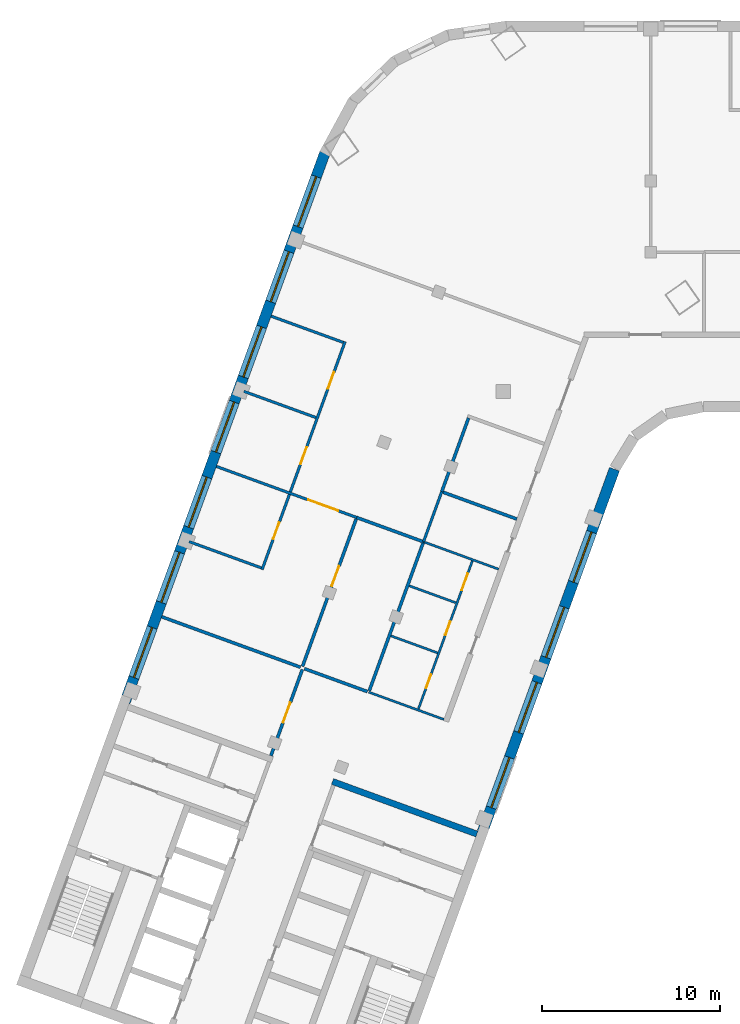
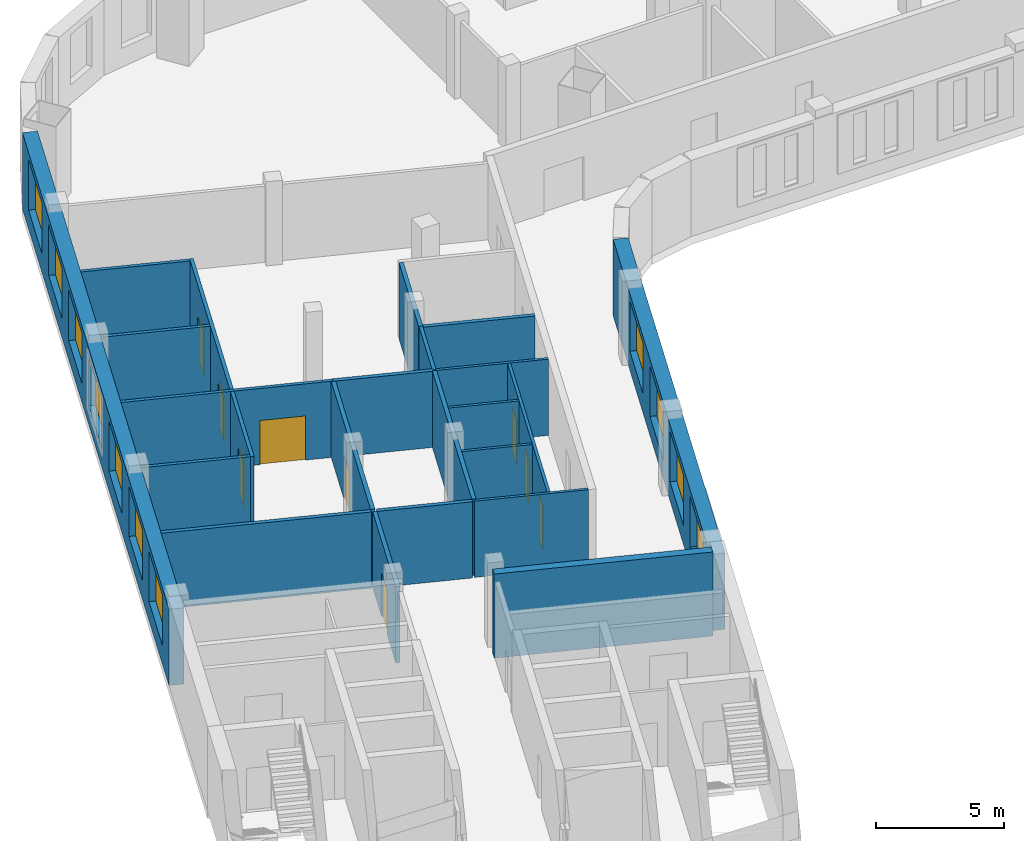
# One storey, part 3 of 8: 22 walls, 11 windows, 9 doors, 20 openings.
"""IFC4 building model written with IfcOpenShell, lengths in metres."""

from ifc_helpers import new_model, si_unit, direction, frame, frame_2d, origin, place, context, subcontext, project, spatial, rectangle, extrude, material, layer, layer_set, type_object, element, fill, save


model = new_model("IFC4")

# Units and contexts
model_context = context("Model", 3, precision=1e-05, world=origin(), true_north=direction((0.0, 1.0)))
body_context = subcontext(model_context, "Body", "Model", "MODEL_VIEW")
ifc_project = project(units=[si_unit("LENGTHUNIT", "METRE"), si_unit("AREAUNIT", "SQUARE_METRE"), si_unit("VOLUMEUNIT", "CUBIC_METRE"), si_unit("PLANEANGLEUNIT", "RADIAN"), si_unit("MASSUNIT", "GRAM", prefix="KILO")], contexts=[model_context])

# Site, building, storey
site_placement = place(None, origin())
site = spatial("IfcSite", under=ifc_project, at=site_placement, CompositionType="ELEMENT")
building_placement = place(site_placement, origin())
building = spatial("IfcBuilding", under=site, at=building_placement, Name="Skarvind Civic Tower", CompositionType="ELEMENT")
storey_placement = place(building_placement, frame((0.0, 0.0, 150.5)))
storey = spatial("IfcBuildingStorey", under=building, at=storey_placement, Name="L35", CompositionType="ELEMENT", Elevation=150.5)

# Wall
ifc_material_1 = material(Name="Acoustic gypsum board on steel studs", Category="steel")
ifc_layer_1 = layer(ifc_material_1, 0.175048828125)
ifc_layer_set_1 = layer_set([ifc_layer_1], Name="ACOUSTIC MEETING-ROOM PARTITION 175")
wall_type_1 = type_object("IfcWallType", Name="ACOUSTIC MEETING-ROOM PARTITION 175", PredefinedType="PARTITIONING", material=ifc_layer_set_1)
wall_1_placement = place(storey_placement, frame((26.736083984375, 105.47998046875, 0.0), z_axis=(0.0, 0.0, 1.0), x_axis=(0.939705074886, -0.341985924028, 0.0)))
element("IfcWall", 1, at=wall_1_placement, inside=storey, type_object=wall_type_1, Name="Partition 35.001", PredefinedType="PARTITIONING", context=body_context, shape_type="SweptSolid", body=[
    extrude(rectangle(XDim=8.313232421875, YDim=0.175048828125, at=frame_2d((4.15673828125, 0.0))), origin(), (0.0, 0.0, 1.0), 3.625),
])

# Wall, opening, door
wall_2_placement = place(storey_placement, frame((32.881103515625, 97.656982421875, 0.0), z_axis=(0.0, 0.0, 1.0), x_axis=(0.342058204353, 0.939678766832, 0.0)))
wall_2 = element("IfcWall", 2, at=wall_2_placement, inside=storey, type_object=wall_type_1, Name="Partition 35.009", PredefinedType="PARTITIONING", context=body_context, shape_type="SweptSolid", body=[
    extrude(rectangle(XDim=5.16259765625, YDim=0.175048828125, at=frame_2d((2.581298828125, 0.0))), origin(), (0.0, 0.0, 1.0), 3.625),
])
opening_1_placement = place(wall_2_placement, frame((1.9912109375, 0.0, 0.0)))
opening_1 = element("IfcOpeningElement", 3, at=opening_1_placement, cuts=wall_2, Name="Opening L35-D007", PredefinedType="OPENING", context=body_context, shape_type="SweptSolid", body=[
    extrude(rectangle(XDim=1.199951171875, YDim=2.10009765625, at=frame_2d((0.60009765625, 1.050048828125))), frame((0.0, 0.097412109375, 0.0), z_axis=(0.0, -1.0, 0.0), x_axis=(1.0, 0.0, 0.0)), (0.0, 0.0, 1.0), 0.195068359375),
])
ifc_material_2 = material(Name="Timber door leaf", Category="wood")
door_type_1 = type_object("IfcDoorType", Name="DOOR 1200X2100 DOUBLE TIMBER", OperationType="NOTDEFINED", PredefinedType="DOOR", material=ifc_material_2)
door_1_placement = place(opening_1_placement, origin())
door_1 = element("IfcDoor", 4, at=door_1_placement, inside=storey, type_object=door_type_1, Name="Door L35-D007", OperationType="DOUBLE_DOOR_SINGLE_SWING", OverallHeight=2.10009765625, OverallWidth=1.199951171875, PredefinedType="DOOR", context=body_context, shape_type="SweptSolid", body=[
    extrude(rectangle(XDim=1.199951171875, YDim=2.10009765625, at=frame_2d((0.60009765625, 1.050048828125))), frame((0.0, 0.02490234375, 0.0), z_axis=(0.0, -1.0, 0.0), x_axis=(1.0, 0.0, 0.0)), (0.0, 0.0, 1.0), 0.050048828125),
])
fill(opening_1, door_1)

# Wall
wall_3_placement = place(storey_placement, frame((34.759033203125, 102.56005859375, 0.0), z_axis=(0.0, 0.0, 1.0), x_axis=(0.939770757411, -0.341805388365, 0.0)))
element("IfcWall", 5, at=wall_3_placement, inside=storey, type_object=wall_type_1, Name="Partition 35.010", PredefinedType="PARTITIONING", context=body_context, shape_type="SweptSolid", body=[
    extrude(rectangle(XDim=3.774169921875, YDim=0.175048828125, at=frame_2d((1.88720703125, 0.0))), origin(), (0.0, 0.0, 1.0), 3.625),
])

# Wall, opening, door
wall_4_placement = place(storey_placement, frame((34.659912109375, 102.68896484375, 0.0), z_axis=(0.0, 0.0, 1.0), x_axis=(0.341951828534, 0.939717482524, 0.0)))
wall_4 = element("IfcWall", 6, at=wall_4_placement, inside=storey, type_object=wall_type_1, Name="Partition 35.011", PredefinedType="PARTITIONING", context=body_context, shape_type="SweptSolid", body=[
    extrude(rectangle(XDim=8.825927734375, YDim=0.175048828125, at=frame_2d((4.4130859375, 0.0))), origin(), (0.0, 0.0, 1.0), 3.625),
])
opening_2_placement = place(wall_4_placement, frame((4.81298828125, 0.0, 0.0)))
opening_2 = element("IfcOpeningElement", 7, at=opening_2_placement, cuts=wall_4, Name="Opening L35-D020", PredefinedType="OPENING", context=body_context, shape_type="SweptSolid", body=[
    extrude(rectangle(XDim=1.199951171875, YDim=2.10009765625, at=frame_2d((0.60009765625, 1.050048828125))), frame((0.0, 0.097412109375, 0.0), z_axis=(0.0, -1.0, 0.0), x_axis=(1.0, 0.0, 0.0)), (0.0, 0.0, 1.0), 0.195068359375),
])
door_2_placement = place(opening_2_placement, origin())
door_2 = element("IfcDoor", 8, at=door_2_placement, inside=storey, type_object=door_type_1, Name="Door L35-D020", OperationType="DOUBLE_DOOR_SINGLE_SWING", OverallHeight=2.10009765625, OverallWidth=1.199951171875, PredefinedType="DOOR", context=body_context, shape_type="SweptSolid", body=[
    extrude(rectangle(XDim=1.199951171875, YDim=2.10009765625, at=frame_2d((0.60009765625, 1.050048828125))), frame((0.0, 0.02490234375, 0.0), z_axis=(0.0, -1.0, 0.0), x_axis=(1.0, 0.0, 0.0)), (0.0, 0.0, 1.0), 0.050048828125),
])
fill(opening_2, door_2)

# Walls
wall_5_placement = place(storey_placement, frame((38.41796875, 101.322021484375, 0.0), z_axis=(0.0, 0.0, 1.0), x_axis=(0.342101536507, 0.939662992099, 0.0)))
element("IfcWall", 9, at=wall_5_placement, inside=storey, type_object=wall_type_1, Name="Partition 35.014", PredefinedType="PARTITIONING", context=body_context, shape_type="SweptSolid", body=[
    extrude(rectangle(XDim=8.912841796875, YDim=0.175048828125, at=frame_2d((4.45654296875, 0.0))), origin(), (0.0, 0.0, 1.0), 3.625),
])
wall_6_placement = place(storey_placement, frame((41.467041015625, 109.697021484375, 0.0), z_axis=(0.0, 0.0, 1.0), x_axis=(-0.939713209288, 0.341963571582, 0.0)))
element("IfcWall", 10, at=wall_6_placement, inside=storey, type_object=wall_type_1, Name="Partition 35.017", PredefinedType="PARTITIONING", context=body_context, shape_type="SweptSolid", body=[
    extrude(rectangle(XDim=4.000244140625, YDim=0.175048828125, at=frame_2d((2.0, 0.0))), origin(), (0.0, 0.0, 1.0), 3.625),
])
wall_7_placement = place(storey_placement, frame((42.574951171875, 112.486083984375, 0.0), z_axis=(0.0, 0.0, 1.0), x_axis=(0.939620446327, -0.342218375959, 0.0)))
element("IfcWall", 11, at=wall_7_placement, inside=storey, type_object=wall_type_1, Name="Partition 35.022", PredefinedType="PARTITIONING", context=body_context, shape_type="SweptSolid", body=[
    extrude(rectangle(XDim=4.412353515625, YDim=0.175048828125, at=frame_2d((2.2060546875, 0.0))), origin(), (0.0, 0.0, 1.0), 3.625),
])
wall_8_placement = place(storey_placement, frame((44.001953125, 116.662109375, 0.0), z_axis=(0.0, 0.0, 1.0), x_axis=(-0.342022951975, -0.939691598517, 0.0)))
element("IfcWall", 12, at=wall_8_placement, inside=storey, type_object=wall_type_1, Name="Partition 35.026", PredefinedType="PARTITIONING", context=body_context, shape_type="SweptSolid", body=[
    extrude(rectangle(XDim=4.412109375, YDim=0.175048828125, at=frame_2d((2.2060546875, 0.0))), origin(), (0.0, 0.0, 1.0), 3.625),
])
ifc_material_3 = material(Name="Concrete C60", Category="concrete")
ifc_layer_2 = layer(ifc_material_3, 0.35009765625)
ifc_layer_set_2 = layer_set([ifc_layer_2], Name="Core wall 350 C60")
wall_type_2 = type_object("IfcWallType", Name="Core wall 350 C60", PredefinedType="SHEAR", material=ifc_layer_set_2)
wall_9_placement = place(storey_placement, frame((44.473388671875, 93.25146484375, 0.0), z_axis=(0.0, 0.0, 1.0), x_axis=(-0.939692847377, 0.34201952077, 0.0)))
element("IfcWall", 13, at=wall_9_placement, inside=storey, type_object=wall_type_2, Name="Core wall C2 south inner face L35", PredefinedType="SHEAR", context=body_context, shape_type="SweptSolid", body=[
    extrude(rectangle(XDim=8.650146484375, YDim=0.35009765625, at=frame_2d((4.3251953125, 0.0))), origin(), (0.0, 0.0, 1.0), 4.0),
])

# Wall, opening, door
ifc_material_4 = material(Name="Plasterboard partition on steel studs", Category="steel")
ifc_layer_3 = layer(ifc_material_4, 0.14990234375)
ifc_layer_set_3 = layer_set([ifc_layer_3], Name="PARTITION 150")
wall_type_3 = type_object("IfcWallType", Name="PARTITION 150", PredefinedType="PARTITIONING", material=ifc_layer_set_3)
wall_10_placement = place(storey_placement, frame((29.81396484375, 113.93798828125, 0.0), z_axis=(0.0, 0.0, 1.0), x_axis=(0.939698351515, -0.342004397867, 0.0)))
wall_10 = element("IfcWall", 14, at=wall_10_placement, inside=storey, type_object=wall_type_3, Name="Partition 35.002", PredefinedType="PARTITIONING", context=body_context, shape_type="SweptSolid", body=[
    extrude(rectangle(XDim=8.400634765625, YDim=0.14990234375, at=frame_2d((4.2001953125, 0.0))), origin(), (0.0, 0.0, 1.0), 3.625),
])
opening_3_placement = place(wall_10_placement, frame((5.50048828125, 0.0, 0.0)))
opening_3 = element("IfcOpeningElement", 15, at=opening_3_placement, cuts=wall_10, Name="Opening L35-D013", PredefinedType="OPENING", context=body_context, shape_type="SweptSolid", body=[
    extrude(rectangle(XDim=1.800048828125, YDim=2.10009765625, at=frame_2d((0.89990234375, 1.050048828125))), frame((0.0, 0.0849609375, 0.0), z_axis=(0.0, -1.0, 0.0), x_axis=(1.0, 0.0, 0.0)), (0.0, 0.0, 1.0), 0.169921875),
])
door_type_2 = type_object("IfcDoorType", Name="D4 1800x2100", OperationType="NOTDEFINED", PredefinedType="DOOR", material=ifc_material_2)
door_3_placement = place(opening_3_placement, origin())
door_3 = element("IfcDoor", 16, at=door_3_placement, inside=storey, type_object=door_type_2, Name="Door L35-D013", OperationType="DOUBLE_DOOR_SINGLE_SWING", OverallHeight=2.10009765625, OverallWidth=1.800048828125, PredefinedType="DOOR", context=body_context, shape_type="SweptSolid", body=[
    extrude(rectangle(XDim=1.800048828125, YDim=2.10009765625, at=frame_2d((0.89990234375, 1.050048828125))), frame((0.0, 0.02490234375, 0.0), z_axis=(0.0, -1.0, 0.0), x_axis=(1.0, 0.0, 0.0)), (0.0, 0.0, 1.0), 0.050048828125),
])
fill(opening_3, door_3)

# Walls
wall_11_placement = place(storey_placement, frame((31.35302734375, 118.166015625, 0.0), z_axis=(0.0, 0.0, 1.0), x_axis=(0.939803311208, -0.341715870634, 0.0)))
element("IfcWall", 17, at=wall_11_placement, inside=storey, type_object=wall_type_3, Name="Partition 35.003", PredefinedType="PARTITIONING", context=body_context, shape_type="SweptSolid", body=[
    extrude(rectangle(XDim=4.3251953125, YDim=0.14990234375, at=frame_2d((2.16259765625, 0.0))), origin(), (0.0, 0.0, 1.0), 3.625),
])
wall_12_placement = place(storey_placement, frame((32.340087890625, 108.22998046875, 0.0), z_axis=(0.0, 0.0, 1.0), x_axis=(-0.939737385516, 0.341897128188, 0.0)))
element("IfcWall", 18, at=wall_12_placement, inside=storey, type_object=wall_type_3, Name="Partition 35.004", PredefinedType="PARTITIONING", context=body_context, shape_type="SweptSolid", body=[
    extrude(rectangle(XDim=4.325927734375, YDim=0.14990234375, at=frame_2d((2.1630859375, 0.0))), origin(), (0.0, 0.0, 1.0), 3.625),
])

# Wall, openings, doors
wall_13_placement = place(storey_placement, frame((37.052978515625, 120.9599609375, 0.0), z_axis=(0.0, 0.0, 1.0), x_axis=(-0.342064742067, -0.939676386973, 0.0)))
wall_13 = element("IfcWall", 19, at=wall_13_placement, inside=storey, type_object=wall_type_3, Name="Partition 35.005", PredefinedType="PARTITIONING", context=body_context, shape_type="SweptSolid", body=[
    extrude(rectangle(XDim=13.6494140625, YDim=0.14990234375, at=frame_2d((6.82470703125, 0.0))), origin(), (0.0, 0.0, 1.0), 3.625),
])
opening_4_placement = place(wall_13_placement, frame((10.824462890625, 0.0, 0.0)))
opening_4 = element("IfcOpeningElement", 20, at=opening_4_placement, cuts=wall_13, Name="Opening L35-D012", PredefinedType="OPENING", context=body_context, shape_type="SweptSolid", body=[
    extrude(rectangle(XDim=1.0, YDim=2.10009765625, at=frame_2d((0.5, 1.050048828125))), frame((0.0, 0.0849609375, 0.0), z_axis=(0.0, -1.0, 0.0), x_axis=(1.0, 0.0, 0.0)), (0.0, 0.0, 1.0), 0.169921875),
])
opening_5_placement = place(wall_13_placement, frame((6.32421875, 0.0, 0.0)))
opening_5 = element("IfcOpeningElement", 21, at=opening_5_placement, cuts=wall_13, Name="Opening L35-D016", PredefinedType="OPENING", context=body_context, shape_type="SweptSolid", body=[
    extrude(rectangle(XDim=1.0, YDim=2.10009765625, at=frame_2d((0.5, 1.050048828125))), frame((0.0, 0.0849609375, 0.0), z_axis=(0.0, -1.0, 0.0), x_axis=(1.0, 0.0, 0.0)), (0.0, 0.0, 1.0), 0.169921875),
])
opening_6_placement = place(wall_13_placement, frame((1.82421875, 0.0, 0.0)))
opening_6 = element("IfcOpeningElement", 22, at=opening_6_placement, cuts=wall_13, Name="Opening L35-D017", PredefinedType="OPENING", context=body_context, shape_type="SweptSolid", body=[
    extrude(rectangle(XDim=1.0, YDim=2.10009765625, at=frame_2d((0.5, 1.050048828125))), frame((0.0, 0.0849609375, 0.0), z_axis=(0.0, -1.0, 0.0), x_axis=(1.0, 0.0, 0.0)), (0.0, 0.0, 1.0), 0.169921875),
])
door_type_3 = type_object("IfcDoorType", Name="D1 1000x2100", OperationType="NOTDEFINED", PredefinedType="DOOR", material=ifc_material_2)
door_4_placement = place(opening_4_placement, origin())
door_4 = element("IfcDoor", 23, at=door_4_placement, inside=storey, type_object=door_type_3, Name="Door L35-D012", OperationType="SINGLE_SWING_LEFT", OverallHeight=2.10009765625, OverallWidth=1.0, PredefinedType="DOOR", context=body_context, shape_type="SweptSolid", body=[
    extrude(rectangle(XDim=1.0, YDim=2.10009765625, at=frame_2d((0.5, 1.050048828125))), frame((0.0, 0.02490234375, 0.0), z_axis=(0.0, -1.0, 0.0), x_axis=(1.0, 0.0, 0.0)), (0.0, 0.0, 1.0), 0.050048828125),
])
fill(opening_4, door_4)
door_5_placement = place(opening_5_placement, origin())
door_5 = element("IfcDoor", 24, at=door_5_placement, inside=storey, type_object=door_type_3, Name="Door L35-D016", OperationType="SINGLE_SWING_RIGHT", OverallHeight=2.10009765625, OverallWidth=1.0, PredefinedType="DOOR", context=body_context, shape_type="SweptSolid", body=[
    extrude(rectangle(XDim=1.0, YDim=2.10009765625, at=frame_2d((0.5, 1.050048828125))), frame((0.0, 0.02490234375, 0.0), z_axis=(0.0, -1.0, 0.0), x_axis=(1.0, 0.0, 0.0)), (0.0, 0.0, 1.0), 0.050048828125),
])
fill(opening_5, door_5)
door_6_placement = place(opening_6_placement, origin())
door_6 = element("IfcDoor", 25, at=door_6_placement, inside=storey, type_object=door_type_3, Name="Door L35-D017", OperationType="SINGLE_SWING_LEFT", OverallHeight=2.10009765625, OverallWidth=1.0, PredefinedType="DOOR", context=body_context, shape_type="SweptSolid", body=[
    extrude(rectangle(XDim=1.0, YDim=2.10009765625, at=frame_2d((0.5, 1.050048828125))), frame((0.0, 0.02490234375, 0.0), z_axis=(0.0, -1.0, 0.0), x_axis=(1.0, 0.0, 0.0)), (0.0, 0.0, 1.0), 0.050048828125),
])
fill(opening_6, door_6)

# Walls
wall_14_placement = place(storey_placement, frame((32.89208984375, 122.39501953125, 0.0), z_axis=(0.0, 0.0, 1.0), x_axis=(0.93973078783, -0.341915262023, 0.0)))
element("IfcWall", 26, at=wall_14_placement, inside=storey, type_object=wall_type_3, Name="Partition 35.006", PredefinedType="PARTITIONING", context=body_context, shape_type="SweptSolid", body=[
    extrude(rectangle(XDim=4.32568359375, YDim=0.14990234375, at=frame_2d((2.162841796875, 0.0))), origin(), (0.0, 0.0, 1.0), 3.625),
])
wall_15_placement = place(storey_placement, frame((42.492919921875, 112.51611328125, 0.0), z_axis=(0.0, 0.0, 1.0), x_axis=(-0.341965219194, -0.939712609717, 0.0)))
element("IfcWall", 27, at=wall_15_placement, inside=storey, type_object=wall_type_3, Name="Partition 35.021", PredefinedType="PARTITIONING", context=body_context, shape_type="SweptSolid", body=[
    extrude(rectangle(XDim=3.0, YDim=0.14990234375, at=frame_2d((1.5, 0.0))), origin(), (0.0, 0.0, 1.0), 3.625),
])
ifc_material_5 = material(Name="Moisture-resistant gypsum board on steel studs", Category="steel")
ifc_layer_4 = layer(ifc_material_5, 0.125)
ifc_layer_set_4 = layer_set([ifc_layer_4], Name="WC PARTITION 125")
wall_type_4 = type_object("IfcWallType", Name="WC PARTITION 125", PredefinedType="PARTITIONING", material=ifc_layer_set_4)
wall_16_placement = place(storey_placement, frame((38.385009765625, 101.239990234375, 0.0), z_axis=(0.0, 0.0, 1.0), x_axis=(0.939711088937, -0.341969398235, 0.0)))
element("IfcWall", 28, at=wall_16_placement, inside=storey, type_object=wall_type_4, Name="Partition 35.012", PredefinedType="PARTITIONING", context=body_context, shape_type="SweptSolid", body=[
    extrude(rectangle(XDim=4.50341796875, YDim=0.125, at=frame_2d((2.251708984375, 0.0))), origin(), (0.0, 0.0, 1.0), 3.625),
])

# Wall, openings, doors
wall_17_placement = place(storey_placement, frame((41.180908203125, 100.2900390625, 0.0), z_axis=(0.0, 0.0, 1.0), x_axis=(0.34222012082, 0.939619810831, 0.0)))
wall_17 = element("IfcWall", 29, at=wall_17_placement, inside=storey, type_object=wall_type_4, Name="Partition 35.016", PredefinedType="PARTITIONING", context=body_context, shape_type="SweptSolid", body=[
    extrude(rectangle(XDim=8.874755859375, YDim=0.125, at=frame_2d((4.4375, 0.0))), origin(), (0.0, 0.0, 1.0), 3.625),
])
opening_7_placement = place(wall_17_placement, frame((1.25830078125, 0.0, 0.0)))
opening_7 = element("IfcOpeningElement", 30, at=opening_7_placement, cuts=wall_17, Name="Opening L35-D009", PredefinedType="OPENING", context=body_context, shape_type="SweptSolid", body=[
    extrude(rectangle(XDim=0.800048828125, YDim=2.10009765625, at=frame_2d((0.39990234375, 1.050048828125))), frame((0.0, 0.072509765625, 0.0), z_axis=(0.0, -1.0, 0.0), x_axis=(1.0, 0.0, 0.0)), (0.0, 0.0, 1.0), 0.14501953125),
])
opening_8_placement = place(wall_17_placement, frame((4.43701171875, 0.0, 0.0)))
opening_8 = element("IfcOpeningElement", 31, at=opening_8_placement, cuts=wall_17, Name="Opening L35-D010", PredefinedType="OPENING", context=body_context, shape_type="SweptSolid", body=[
    extrude(rectangle(XDim=0.800048828125, YDim=2.10009765625, at=frame_2d((0.39990234375, 1.050048828125))), frame((0.0, 0.072509765625, 0.0), z_axis=(0.0, -1.0, 0.0), x_axis=(1.0, 0.0, 0.0)), (0.0, 0.0, 1.0), 0.14501953125),
])
opening_9_placement = place(wall_17_placement, frame((7.1162109375, 0.0, 0.0)))
opening_9 = element("IfcOpeningElement", 32, at=opening_9_placement, cuts=wall_17, Name="Opening L35-D011", PredefinedType="OPENING", context=body_context, shape_type="SweptSolid", body=[
    extrude(rectangle(XDim=1.0, YDim=2.10009765625, at=frame_2d((0.5, 1.050048828125))), frame((0.0, 0.072509765625, 0.0), z_axis=(0.0, -1.0, 0.0), x_axis=(1.0, 0.0, 0.0)), (0.0, 0.0, 1.0), 0.14501953125),
])
door_7_placement = place(opening_9_placement, origin())
door_7 = element("IfcDoor", 33, at=door_7_placement, inside=storey, type_object=door_type_3, Name="Door L35-D011", OperationType="SINGLE_SWING_LEFT", OverallHeight=2.10009765625, OverallWidth=1.0, PredefinedType="DOOR", context=body_context, shape_type="SweptSolid", body=[
    extrude(rectangle(XDim=1.0, YDim=2.10009765625, at=frame_2d((0.5, 1.050048828125))), frame((0.0, 0.02490234375, 0.0), z_axis=(0.0, -1.0, 0.0), x_axis=(1.0, 0.0, 0.0)), (0.0, 0.0, 1.0), 0.050048828125),
])
fill(opening_9, door_7)
door_type_4 = type_object("IfcDoorType", Name="DOOR 800X2100 TIMBER", OperationType="NOTDEFINED", PredefinedType="DOOR", material=ifc_material_2)
door_8_placement = place(opening_7_placement, origin())
door_8 = element("IfcDoor", 34, at=door_8_placement, inside=storey, type_object=door_type_4, Name="Door L35-D009", OperationType="SINGLE_SWING_LEFT", OverallHeight=2.10009765625, OverallWidth=0.800048828125, PredefinedType="DOOR", context=body_context, shape_type="SweptSolid", body=[
    extrude(rectangle(XDim=0.800048828125, YDim=2.10009765625, at=frame_2d((0.39990234375, 1.050048828125))), frame((0.0, 0.02490234375, 0.0), z_axis=(0.0, -1.0, 0.0), x_axis=(1.0, 0.0, 0.0)), (0.0, 0.0, 1.0), 0.050048828125),
])
fill(opening_7, door_8)
door_9_placement = place(opening_8_placement, origin())
door_9 = element("IfcDoor", 35, at=door_9_placement, inside=storey, type_object=door_type_4, Name="Door L35-D010", OperationType="SINGLE_SWING_LEFT", OverallHeight=2.10009765625, OverallWidth=0.800048828125, PredefinedType="DOOR", context=body_context, shape_type="SweptSolid", body=[
    extrude(rectangle(XDim=0.800048828125, YDim=2.10009765625, at=frame_2d((0.39990234375, 1.050048828125))), frame((0.0, 0.02490234375, 0.0), z_axis=(0.0, -1.0, 0.0), x_axis=(1.0, 0.0, 0.0)), (0.0, 0.0, 1.0), 0.050048828125),
])
fill(opening_8, door_9)

# Walls
wall_18_placement = place(storey_placement, frame((41.467041015625, 109.697021484375, 0.0), z_axis=(0.0, 0.0, 1.0), x_axis=(0.939609529273, -0.342248349154, 0.0)))
element("IfcWall", 36, at=wall_18_placement, inside=storey, type_object=wall_type_4, Name="Partition 35.018", PredefinedType="PARTITIONING", context=body_context, shape_type="SweptSolid", body=[
    extrude(rectangle(XDim=4.499755859375, YDim=0.125, at=frame_2d((2.25, 0.0))), origin(), (0.0, 0.0, 1.0), 3.625),
])
wall_19_placement = place(storey_placement, frame((42.263916015625, 103.446044921875, 0.0), z_axis=(0.0, 0.0, 1.0), x_axis=(-0.939640574808, 0.342163104635, 0.0)))
element("IfcWall", 37, at=wall_19_placement, inside=storey, type_object=wall_type_4, Name="Partition 35.019", PredefinedType="PARTITIONING", context=body_context, shape_type="SweptSolid", body=[
    extrude(rectangle(XDim=2.7998046875, YDim=0.125, at=frame_2d((1.39990234375, 0.0))), origin(), (0.0, 0.0, 1.0), 3.625),
])
wall_20_placement = place(storey_placement, frame((43.2900390625, 106.26611328125, 0.0), z_axis=(0.0, 0.0, 1.0), x_axis=(-0.939650782256, 0.342135071873, 0.0)))
element("IfcWall", 38, at=wall_20_placement, inside=storey, type_object=wall_type_4, Name="Partition 35.024", PredefinedType="PARTITIONING", context=body_context, shape_type="SweptSolid", body=[
    extrude(rectangle(XDim=2.800048828125, YDim=0.125, at=frame_2d((1.39990234375, 0.0))), origin(), (0.0, 0.0, 1.0), 3.625),
])

# Wall, openings, windows
ifc_material_6 = material(Name="Limestone masonry cladding on insulated backing", Category="masonry")
ifc_layer_5 = layer(ifc_material_6, 0.60009765625)
ifc_layer_set_5 = layer_set([ifc_layer_5], Name="WX1 STONE FACADE WALL 600")
wall_type_5 = type_object("IfcWallType", Name="WX1 STONE FACADE WALL 600", PredefinedType="SOLIDWALL", material=ifc_layer_set_5)
wall_21_placement = place(storey_placement, frame((52.212158203125, 113.78271484375, 0.0), z_axis=(0.0, 0.0, 1.0), x_axis=(-0.34202521188, -0.939690775968, 0.0)))
wall_21 = element("IfcWall", 39, at=wall_21_placement, inside=storey, type_object=wall_type_5, Name="STONE FACADE WALL", PredefinedType="SOLIDWALL", context=body_context, shape_type="SweptSolid", body=[
    extrude(rectangle(XDim=21.744873046875, YDim=0.60009765625, at=frame_2d((10.87255859375, 0.0))), origin(), (0.0, 0.0, 1.0), 3.625),
])
opening_10_placement = place(wall_21_placement, frame((3.764892578125, 0.0, 0.89990234375)))
opening_10 = element("IfcOpeningElement", 40, at=opening_10_placement, cuts=wall_21, Name="Opening WN1", PredefinedType="OPENING", context=body_context, shape_type="SweptSolid", body=[
    extrude(rectangle(XDim=3.0, YDim=2.39990234375, at=frame_2d((1.5, 1.199951171875))), frame((0.0, 0.31005859375, 0.0), z_axis=(0.0, -1.0, 0.0), x_axis=(1.0, 0.0, 0.0)), (0.0, 0.0, 1.0), 0.6201171875),
])
opening_11_placement = place(wall_21_placement, frame((8.264892578125, 0.0, 0.89990234375)))
opening_11 = element("IfcOpeningElement", 41, at=opening_11_placement, cuts=wall_21, Name="Opening WN1", PredefinedType="OPENING", context=body_context, shape_type="SweptSolid", body=[
    extrude(rectangle(XDim=3.0, YDim=2.39990234375, at=frame_2d((1.5, 1.199951171875))), frame((0.0, 0.31005859375, 0.0), z_axis=(0.0, -1.0, 0.0), x_axis=(1.0, 0.0, 0.0)), (0.0, 0.0, 1.0), 0.6201171875),
])
opening_12_placement = place(wall_21_placement, frame((12.764892578125, 0.0, 0.89990234375)))
opening_12 = element("IfcOpeningElement", 42, at=opening_12_placement, cuts=wall_21, Name="Opening WN1", PredefinedType="OPENING", context=body_context, shape_type="SweptSolid", body=[
    extrude(rectangle(XDim=3.0, YDim=2.39990234375, at=frame_2d((1.5, 1.199951171875))), frame((0.0, 0.31005859375, 0.0), z_axis=(0.0, -1.0, 0.0), x_axis=(1.0, 0.0, 0.0)), (0.0, 0.0, 1.0), 0.6201171875),
])
opening_13_placement = place(wall_21_placement, frame((17.264892578125, 0.0, 0.89990234375)))
opening_13 = element("IfcOpeningElement", 43, at=opening_13_placement, cuts=wall_21, Name="Opening WN1", PredefinedType="OPENING", context=body_context, shape_type="SweptSolid", body=[
    extrude(rectangle(XDim=3.0, YDim=2.39990234375, at=frame_2d((1.5, 1.199951171875))), frame((0.0, 0.31005859375, 0.0), z_axis=(0.0, -1.0, 0.0), x_axis=(1.0, 0.0, 0.0)), (0.0, 0.0, 1.0), 0.6201171875),
])
ifc_material_7 = material(Name="Timber frame, double glazing, timber-lined reveal", Category="wood")
window_type = type_object("IfcWindowType", Name="WN1 PUNCHED STONE WINDOW 3000 x 2400", PartitioningType="SINGLE_PANEL", PredefinedType="WINDOW", material=ifc_material_7)
window_1_placement = place(opening_10_placement, origin())
window_1 = element("IfcWindow", 44, at=window_1_placement, inside=storey, type_object=window_type, Name="WN1 WINDOW", OverallHeight=2.39990234375, OverallWidth=3.0, PartitioningType="SINGLE_PANEL", PredefinedType="WINDOW", context=body_context, shape_type="SweptSolid", body=[
    extrude(rectangle(XDim=3.0, YDim=2.39990234375, at=frame_2d((1.5, 1.199951171875))), frame((0.0, 0.030029296875, 0.0), z_axis=(0.0, -1.0, 0.0), x_axis=(1.0, 0.0, 0.0)), (0.0, 0.0, 1.0), 0.06005859375),
])
fill(opening_10, window_1)
window_2_placement = place(opening_11_placement, origin())
window_2 = element("IfcWindow", 45, at=window_2_placement, inside=storey, type_object=window_type, Name="WN1 WINDOW", OverallHeight=2.39990234375, OverallWidth=3.0, PartitioningType="SINGLE_PANEL", PredefinedType="WINDOW", context=body_context, shape_type="SweptSolid", body=[
    extrude(rectangle(XDim=3.0, YDim=2.39990234375, at=frame_2d((1.5, 1.199951171875))), frame((0.0, 0.030029296875, 0.0), z_axis=(0.0, -1.0, 0.0), x_axis=(1.0, 0.0, 0.0)), (0.0, 0.0, 1.0), 0.06005859375),
])
fill(opening_11, window_2)
window_3_placement = place(opening_12_placement, origin())
window_3 = element("IfcWindow", 46, at=window_3_placement, inside=storey, type_object=window_type, Name="WN1 WINDOW", OverallHeight=2.39990234375, OverallWidth=3.0, PartitioningType="SINGLE_PANEL", PredefinedType="WINDOW", context=body_context, shape_type="SweptSolid", body=[
    extrude(rectangle(XDim=3.0, YDim=2.39990234375, at=frame_2d((1.5, 1.199951171875))), frame((0.0, 0.030029296875, 0.0), z_axis=(0.0, -1.0, 0.0), x_axis=(1.0, 0.0, 0.0)), (0.0, 0.0, 1.0), 0.06005859375),
])
fill(opening_12, window_3)
window_4_placement = place(opening_13_placement, origin())
window_4 = element("IfcWindow", 47, at=window_4_placement, inside=storey, type_object=window_type, Name="WN1 WINDOW", OverallHeight=2.39990234375, OverallWidth=3.0, PartitioningType="SINGLE_PANEL", PredefinedType="WINDOW", context=body_context, shape_type="SweptSolid", body=[
    extrude(rectangle(XDim=3.0, YDim=2.39990234375, at=frame_2d((1.5, 1.199951171875))), frame((0.0, 0.030029296875, 0.0), z_axis=(0.0, -1.0, 0.0), x_axis=(1.0, 0.0, 0.0)), (0.0, 0.0, 1.0), 0.06005859375),
])
fill(opening_13, window_4)

wall_22_placement = place(storey_placement, frame((24.66552734375, 100.668701171875, 0.0), z_axis=(0.0, 0.0, 1.0), x_axis=(0.34201964167, 0.939692803373, 0.0)))
wall_22 = element("IfcWall", 48, at=wall_22_placement, inside=storey, type_object=wall_type_5, Name="STONE FACADE WALL", PredefinedType="SOLIDWALL", context=body_context, shape_type="SweptSolid", body=[
    extrude(rectangle(XDim=32.88427734375, YDim=0.60009765625, at=frame_2d((16.442138671875, 0.0))), origin(), (0.0, 0.0, 1.0), 3.625),
])
opening_14_placement = place(wall_22_placement, frame((1.47998046875, 0.0, 0.89990234375)))
opening_14 = element("IfcOpeningElement", 49, at=opening_14_placement, cuts=wall_22, Name="Opening WN1", PredefinedType="OPENING", context=body_context, shape_type="SweptSolid", body=[
    extrude(rectangle(XDim=3.0, YDim=2.39990234375, at=frame_2d((1.5, 1.199951171875))), frame((0.0, 0.31005859375, 0.0), z_axis=(0.0, -1.0, 0.0), x_axis=(1.0, 0.0, 0.0)), (0.0, 0.0, 1.0), 0.6201171875),
])
opening_15_placement = place(wall_22_placement, frame((5.97998046875, 0.0, 0.89990234375)))
opening_15 = element("IfcOpeningElement", 50, at=opening_15_placement, cuts=wall_22, Name="Opening WN1", PredefinedType="OPENING", context=body_context, shape_type="SweptSolid", body=[
    extrude(rectangle(XDim=3.0, YDim=2.39990234375, at=frame_2d((1.5, 1.199951171875))), frame((0.0, 0.31005859375, 0.0), z_axis=(0.0, -1.0, 0.0), x_axis=(1.0, 0.0, 0.0)), (0.0, 0.0, 1.0), 0.6201171875),
])
opening_16_placement = place(wall_22_placement, frame((10.47998046875, 0.0, 0.89990234375)))
opening_16 = element("IfcOpeningElement", 51, at=opening_16_placement, cuts=wall_22, Name="Opening WN1", PredefinedType="OPENING", context=body_context, shape_type="SweptSolid", body=[
    extrude(rectangle(XDim=3.0, YDim=2.39990234375, at=frame_2d((1.5, 1.199951171875))), frame((0.0, 0.31005859375, 0.0), z_axis=(0.0, -1.0, 0.0), x_axis=(1.0, 0.0, 0.0)), (0.0, 0.0, 1.0), 0.6201171875),
])
opening_17_placement = place(wall_22_placement, frame((14.97998046875, 0.0, 0.89990234375)))
opening_17 = element("IfcOpeningElement", 52, at=opening_17_placement, cuts=wall_22, Name="Opening WN1", PredefinedType="OPENING", context=body_context, shape_type="SweptSolid", body=[
    extrude(rectangle(XDim=3.0, YDim=2.39990234375, at=frame_2d((1.5, 1.199951171875))), frame((0.0, 0.31005859375, 0.0), z_axis=(0.0, -1.0, 0.0), x_axis=(1.0, 0.0, 0.0)), (0.0, 0.0, 1.0), 0.6201171875),
])
opening_18_placement = place(wall_22_placement, frame((19.47998046875, 0.0, 0.89990234375)))
opening_18 = element("IfcOpeningElement", 53, at=opening_18_placement, cuts=wall_22, Name="Opening WN1", PredefinedType="OPENING", context=body_context, shape_type="SweptSolid", body=[
    extrude(rectangle(XDim=3.0, YDim=2.39990234375, at=frame_2d((1.5, 1.199951171875))), frame((0.0, 0.31005859375, 0.0), z_axis=(0.0, -1.0, 0.0), x_axis=(1.0, 0.0, 0.0)), (0.0, 0.0, 1.0), 0.6201171875),
])
opening_19_placement = place(wall_22_placement, frame((23.97998046875, 0.0, 0.89990234375)))
opening_19 = element("IfcOpeningElement", 54, at=opening_19_placement, cuts=wall_22, Name="Opening WN1", PredefinedType="OPENING", context=body_context, shape_type="SweptSolid", body=[
    extrude(rectangle(XDim=3.0, YDim=2.39990234375, at=frame_2d((1.5, 1.199951171875))), frame((0.0, 0.31005859375, 0.0), z_axis=(0.0, -1.0, 0.0), x_axis=(1.0, 0.0, 0.0)), (0.0, 0.0, 1.0), 0.6201171875),
])
opening_20_placement = place(wall_22_placement, frame((28.47998046875, 0.0, 0.89990234375)))
opening_20 = element("IfcOpeningElement", 55, at=opening_20_placement, cuts=wall_22, Name="Opening WN1", PredefinedType="OPENING", context=body_context, shape_type="SweptSolid", body=[
    extrude(rectangle(XDim=3.0, YDim=2.39990234375, at=frame_2d((1.5, 1.199951171875))), frame((0.0, 0.31005859375, 0.0), z_axis=(0.0, -1.0, 0.0), x_axis=(1.0, 0.0, 0.0)), (0.0, 0.0, 1.0), 0.6201171875),
])
window_5_placement = place(opening_14_placement, origin())
window_5 = element("IfcWindow", 56, at=window_5_placement, inside=storey, type_object=window_type, Name="WN1 WINDOW", OverallHeight=2.39990234375, OverallWidth=3.0, PartitioningType="SINGLE_PANEL", PredefinedType="WINDOW", context=body_context, shape_type="SweptSolid", body=[
    extrude(rectangle(XDim=3.0, YDim=2.39990234375, at=frame_2d((1.5, 1.199951171875))), frame((0.0, 0.030029296875, 0.0), z_axis=(0.0, -1.0, 0.0), x_axis=(1.0, 0.0, 0.0)), (0.0, 0.0, 1.0), 0.06005859375),
])
fill(opening_14, window_5)
window_6_placement = place(opening_15_placement, origin())
window_6 = element("IfcWindow", 57, at=window_6_placement, inside=storey, type_object=window_type, Name="WN1 WINDOW", OverallHeight=2.39990234375, OverallWidth=3.0, PartitioningType="SINGLE_PANEL", PredefinedType="WINDOW", context=body_context, shape_type="SweptSolid", body=[
    extrude(rectangle(XDim=3.0, YDim=2.39990234375, at=frame_2d((1.5, 1.199951171875))), frame((0.0, 0.030029296875, 0.0), z_axis=(0.0, -1.0, 0.0), x_axis=(1.0, 0.0, 0.0)), (0.0, 0.0, 1.0), 0.06005859375),
])
fill(opening_15, window_6)
window_7_placement = place(opening_16_placement, origin())
window_7 = element("IfcWindow", 58, at=window_7_placement, inside=storey, type_object=window_type, Name="WN1 WINDOW", OverallHeight=2.39990234375, OverallWidth=3.0, PartitioningType="SINGLE_PANEL", PredefinedType="WINDOW", context=body_context, shape_type="SweptSolid", body=[
    extrude(rectangle(XDim=3.0, YDim=2.39990234375, at=frame_2d((1.5, 1.199951171875))), frame((0.0, 0.030029296875, 0.0), z_axis=(0.0, -1.0, 0.0), x_axis=(1.0, 0.0, 0.0)), (0.0, 0.0, 1.0), 0.06005859375),
])
fill(opening_16, window_7)
window_8_placement = place(opening_17_placement, origin())
window_8 = element("IfcWindow", 59, at=window_8_placement, inside=storey, type_object=window_type, Name="WN1 WINDOW", OverallHeight=2.39990234375, OverallWidth=3.0, PartitioningType="SINGLE_PANEL", PredefinedType="WINDOW", context=body_context, shape_type="SweptSolid", body=[
    extrude(rectangle(XDim=3.0, YDim=2.39990234375, at=frame_2d((1.5, 1.199951171875))), frame((0.0, 0.030029296875, 0.0), z_axis=(0.0, -1.0, 0.0), x_axis=(1.0, 0.0, 0.0)), (0.0, 0.0, 1.0), 0.06005859375),
])
fill(opening_17, window_8)
window_9_placement = place(opening_18_placement, origin())
window_9 = element("IfcWindow", 60, at=window_9_placement, inside=storey, type_object=window_type, Name="WN1 WINDOW", OverallHeight=2.39990234375, OverallWidth=3.0, PartitioningType="SINGLE_PANEL", PredefinedType="WINDOW", context=body_context, shape_type="SweptSolid", body=[
    extrude(rectangle(XDim=3.0, YDim=2.39990234375, at=frame_2d((1.5, 1.199951171875))), frame((0.0, 0.030029296875, 0.0), z_axis=(0.0, -1.0, 0.0), x_axis=(1.0, 0.0, 0.0)), (0.0, 0.0, 1.0), 0.06005859375),
])
fill(opening_18, window_9)
window_10_placement = place(opening_19_placement, origin())
window_10 = element("IfcWindow", 61, at=window_10_placement, inside=storey, type_object=window_type, Name="WN1 WINDOW", OverallHeight=2.39990234375, OverallWidth=3.0, PartitioningType="SINGLE_PANEL", PredefinedType="WINDOW", context=body_context, shape_type="SweptSolid", body=[
    extrude(rectangle(XDim=3.0, YDim=2.39990234375, at=frame_2d((1.5, 1.199951171875))), frame((0.0, 0.030029296875, 0.0), z_axis=(0.0, -1.0, 0.0), x_axis=(1.0, 0.0, 0.0)), (0.0, 0.0, 1.0), 0.06005859375),
])
fill(opening_19, window_10)
window_11_placement = place(opening_20_placement, origin())
window_11 = element("IfcWindow", 62, at=window_11_placement, inside=storey, type_object=window_type, Name="WN1 WINDOW", OverallHeight=2.39990234375, OverallWidth=3.0, PartitioningType="SINGLE_PANEL", PredefinedType="WINDOW", context=body_context, shape_type="SweptSolid", body=[
    extrude(rectangle(XDim=3.0, YDim=2.39990234375, at=frame_2d((1.5, 1.199951171875))), frame((0.0, 0.030029296875, 0.0), z_axis=(0.0, -1.0, 0.0), x_axis=(1.0, 0.0, 0.0)), (0.0, 0.0, 1.0), 0.06005859375),
])
fill(opening_20, window_11)

save(model, "model.ifc")
